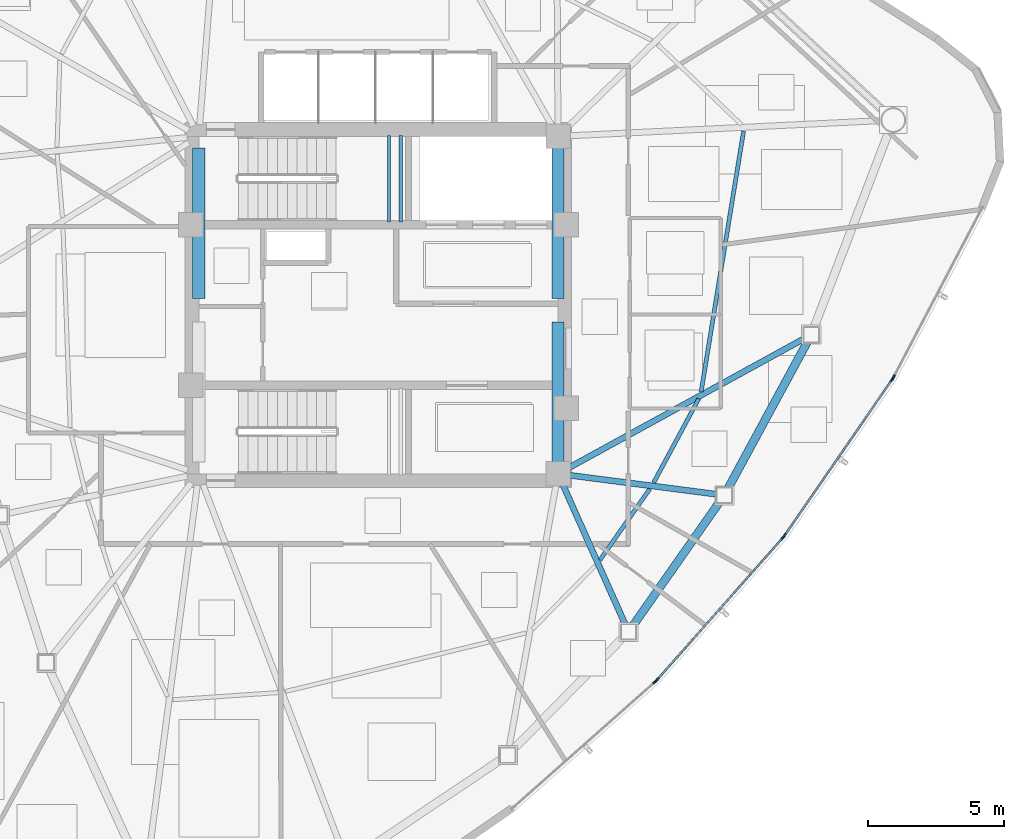
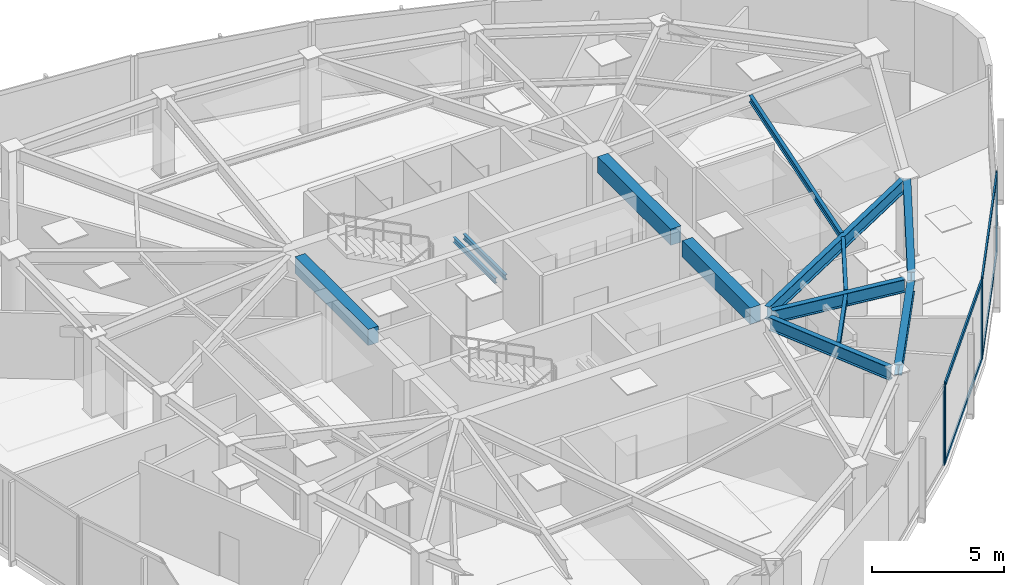
# One storey, part 5 of 15: 13 beams, 10 members, 4 elements without a shape of their own.
"""IFC4 building model written with IfcOpenShell, lengths in metres."""

from ifc_helpers import new_model, si_unit, direction, frame, origin, origin_2d, place, context, subcontext, project, spatial, rectangle, hollow_rectangle, i_section, extrude, source, transform, mapped, material, layer, layer_set, material_profile, profile_set, type_object, type_shapes, element, aggregate, save


model = new_model("IFC4")

# Units and contexts
model_context = context("Model", 3, precision=1e-05, world=origin(), true_north=direction((0.0, 1.0)))
body_context = subcontext(model_context, "Body", "Model", "MODEL_VIEW")
ifc_project = project(units=[si_unit("LENGTHUNIT", "METRE"), si_unit("AREAUNIT", "SQUARE_METRE"), si_unit("VOLUMEUNIT", "CUBIC_METRE"), si_unit("PLANEANGLEUNIT", "RADIAN"), si_unit("MASSUNIT", "GRAM", prefix="KILO")], contexts=[model_context])

# Site, building, storey
site_placement = place(None, origin())
site = spatial("IfcSite", under=ifc_project, at=site_placement, CompositionType="ELEMENT")
building_placement = place(site_placement, origin())
building = spatial("IfcBuilding", under=site, at=building_placement, Name="Tavelor Broadcast Tower", CompositionType="ELEMENT")
storey_placement = place(building_placement, frame((0.0, 0.0, 230.050048828125)))
storey = spatial("IfcBuildingStorey", under=building, at=storey_placement, Name="L54", CompositionType="ELEMENT", Elevation=230.050048828125)

# Beams
ifc_material_1 = material(Name="Concrete C40/50", Category="concrete")
ifc_material_profile_1 = material_profile(ifc_material_1, rectangle(XDim=0.449951171875, YDim=0.75, at=origin_2d()), Name="RC 450x750")
ifc_profile_set_1 = profile_set([ifc_material_profile_1], Name="Concrete C40/50")
beam_type_1 = type_object("IfcBeamType", Name="Basement Core Trim Beam 450x750", PredefinedType="BEAM", material=ifc_profile_set_1)
for number, where, z_axis, x_axis, name in (
    (1, (43.39990234375, 45.23193359375, 3.27490234375), (0.0, 1.0, 0.0), (-1.0, 0.0, 0.0), "L54 Core West-N Tie Girder"),
    (2, (56.60009765625, 45.23193359375, 3.27490234375), (0.0, 1.0, 0.0), (-1.0, 0.0, 0.0), "L54 Core East-N Tie Girder"),
):
    element("IfcBeam", number, at=place(storey_placement, frame(where, z_axis=z_axis, x_axis=x_axis)), inside=storey, type_object=beam_type_1, Name=name, PredefinedType="BEAM", context=body_context, shape_type="SweptSolid", body=[
        extrude(rectangle(XDim=0.449951171875, YDim=0.75, at=origin_2d()), origin(), (0.0, 0.0, 1.0), 5.5361328125),
    ])
beam_1_placement = place(storey_placement, frame((56.60009765625, 39.23193359375, 3.27490234375), z_axis=(0.0, 1.0, 0.0), x_axis=(-1.0, 0.0, 0.0)))
element("IfcBeam", 3, at=beam_1_placement, inside=storey, type_object=beam_type_1, Name="L54 Core East-S Tie Girder", PredefinedType="BEAM", context=body_context, shape_type="SweptSolid", body=[
    extrude(rectangle(XDim=0.449951171875, YDim=0.75, at=origin_2d()), origin(), (0.0, 0.0, 1.0), 5.135986328125),
])
ifc_material_2 = material(Name="Steel S355", Category="steel")
ifc_material_profile_2 = material_profile(ifc_material_2, i_section(OverallWidth=0.14990234375, OverallDepth=0.300048828125, WebThickness=0.007080078125, FlangeThickness=0.0107421875, at=origin_2d()), Name="IPE 300")
ifc_profile_set_2 = profile_set([ifc_material_profile_2], Name="Steel S355")
beam_type_2 = type_object("IfcBeamType", Name="Composite Floor Joist T5 IPE 300", PredefinedType="JOIST", material=ifc_profile_set_2)
beam_2_placement = place(storey_placement, frame((58.1435546875, 35.632568359375, 3.5), z_axis=(0.573982104788, 0.81886784244, 0.0), x_axis=(-0.81886784244, 0.573982104788, 0.0)))
element("IfcBeam", 4, at=beam_2_placement, inside=storey, type_object=beam_type_2, Name="L54 Secondary Composite Floor Joist 10", PredefinedType="JOIST", context=body_context, shape_type="SweptSolid", body=[
    extrude(i_section(OverallWidth=0.14990234375, OverallDepth=0.300048828125, WebThickness=0.007080078125, FlangeThickness=0.0107421875, at=origin_2d()), origin(), (0.0, 0.0, 1.0), 3.183349609375),
])
beam_3_placement = place(storey_placement, frame((60.11669921875, 38.476318359375, 3.5), z_axis=(0.473687126384, 0.880693196464, 0.0), x_axis=(-0.880693196464, 0.473687126384, 0.0)))
element("IfcBeam", 5, at=beam_3_placement, inside=storey, type_object=beam_type_2, Name="L54 Secondary Composite Floor Joist 11", PredefinedType="JOIST", context=body_context, shape_type="SweptSolid", body=[
    extrude(i_section(OverallWidth=0.14990234375, OverallDepth=0.300048828125, WebThickness=0.007080078125, FlangeThickness=0.0107421875, at=origin_2d()), origin(), (0.0, 0.0, 1.0), 3.492919921875),
])
beam_4_placement = place(storey_placement, frame((61.859619140625, 41.812744140625, 3.5), z_axis=(0.160809479217, 0.986985466658, 0.0), x_axis=(-0.986985466658, 0.160809479217, 0.0)))
element("IfcBeam", 6, at=beam_4_placement, inside=storey, type_object=beam_type_2, Name="L54 Secondary Composite Floor Joist 12", PredefinedType="JOIST", context=body_context, shape_type="SweptSolid", body=[
    extrude(i_section(OverallWidth=0.14990234375, OverallDepth=0.300048828125, WebThickness=0.007080078125, FlangeThickness=0.0107421875, at=origin_2d()), origin(), (0.0, 0.0, 1.0), 9.708984375),
])
ifc_material_profile_3 = material_profile(ifc_material_2, i_section(OverallWidth=0.300048828125, OverallDepth=0.489990234375, WebThickness=0.011962890625, FlangeThickness=0.02294921875, at=origin_2d()), Name="HEA 500")
ifc_profile_set_3 = profile_set([ifc_material_profile_3], Name="Steel S355")
beam_type_3 = type_object("IfcBeamType", Name="Perimeter Spandrel Beam T5 HEA 500", PredefinedType="SPANDREL", material=ifc_profile_set_3)
beam_5_placement = place(storey_placement, frame((59.357666015625, 33.222900390625, 3.405029296875), z_axis=(0.573798498873, 0.818996509572, 0.0), x_axis=(-0.818996509572, 0.573798498873, 0.0)))
element("IfcBeam", 7, at=beam_5_placement, inside=storey, type_object=beam_type_3, Name="L54 Framed-Tube Ring Spandrel 10", PredefinedType="SPANDREL", context=body_context, shape_type="SweptSolid", body=[
    extrude(i_section(OverallWidth=0.300048828125, OverallDepth=0.489990234375, WebThickness=0.011962890625, FlangeThickness=0.02294921875, at=origin_2d()), origin(), (0.0, 0.0, 1.0), 5.555908203125),
])
beam_6_placement = place(storey_placement, frame((62.84814453125, 38.26220703125, 3.405029296875), z_axis=(0.476295969148, 0.879285021921, 0.0), x_axis=(-0.879285021921, 0.476295969148, 0.0)))
element("IfcBeam", 8, at=beam_6_placement, inside=storey, type_object=beam_type_3, Name="L54 Framed-Tube Ring Spandrel 11", PredefinedType="SPANDREL", context=body_context, shape_type="SweptSolid", body=[
    extrude(i_section(OverallWidth=0.300048828125, OverallDepth=0.489990234375, WebThickness=0.011962890625, FlangeThickness=0.02294921875, at=origin_2d()), origin(), (0.0, 0.0, 1.0), 6.134521484375),
])
ifc_material_profile_4 = material_profile(ifc_material_2, i_section(OverallWidth=0.219970703125, OverallDepth=0.60009765625, WebThickness=0.011962890625, FlangeThickness=0.01904296875, at=origin_2d()), Name="IPE 600")
ifc_profile_set_4 = profile_set([ifc_material_profile_4], Name="Steel S355")
beam_type_4 = type_object("IfcBeamType", Name="Radial Floor Girder T5 IPE 600", PredefinedType="BEAM", material=ifc_profile_set_4)
beam_7_placement = place(storey_placement, frame((56.77587890625, 38.405517578125, 3.349853515625), z_axis=(0.407317885502, -0.913286450217, 0.0), x_axis=(0.913286450217, 0.407317885502, 0.0)))
element("IfcBeam", 9, at=beam_7_placement, inside=storey, type_object=beam_type_4, Name="L54 Radial Primary Floor Girder 10", PredefinedType="BEAM", context=body_context, shape_type="SweptSolid", body=[
    extrude(i_section(OverallWidth=0.219970703125, OverallDepth=0.60009765625, WebThickness=0.011962890625, FlangeThickness=0.01904296875, at=origin_2d()), origin(), (0.0, 0.0, 1.0), 5.64501953125),
])
beam_8_placement = place(storey_placement, frame((57.0283203125, 38.74462890625, 3.349853515625), z_axis=(0.991728752797, -0.12835139608, 0.0), x_axis=(0.12835139608, 0.991728752797, 0.0)))
element("IfcBeam", 10, at=beam_8_placement, inside=storey, type_object=beam_type_4, Name="L54 Radial Primary Floor Girder 11", PredefinedType="BEAM", context=body_context, shape_type="SweptSolid", body=[
    extrude(i_section(OverallWidth=0.219970703125, OverallDepth=0.60009765625, WebThickness=0.011962890625, FlangeThickness=0.01904296875, at=origin_2d()), origin(), (0.0, 0.0, 1.0), 5.44189453125),
])
beam_9_placement = place(storey_placement, frame((56.978759765625, 39.0078125, 3.349853515625), z_axis=(0.876594261461, 0.481230195201, 0.0), x_axis=(-0.481230195201, 0.876594261461, 0.0)))
element("IfcBeam", 11, at=beam_9_placement, inside=storey, type_object=beam_type_4, Name="L54 Radial Primary Floor Girder 12", PredefinedType="BEAM", context=body_context, shape_type="SweptSolid", body=[
    extrude(i_section(OverallWidth=0.219970703125, OverallDepth=0.60009765625, WebThickness=0.011962890625, FlangeThickness=0.01904296875, at=origin_2d()), origin(), (0.0, 0.0, 1.0), 9.8974609375),
])
ifc_material_profile_5 = material_profile(ifc_material_2, i_section(OverallWidth=0.1201171875, OverallDepth=0.239990234375, WebThickness=0.006103515625, FlangeThickness=0.009765625, at=origin_2d()), Name="IPE 240")
ifc_profile_set_5 = profile_set([ifc_material_profile_5], Name="Steel S355")
beam_type_5 = type_object("IfcBeamType", Name="Stairwell Landing Support Trimmer Beam IPE240", PredefinedType="BEAM", material=ifc_profile_set_5)
for number, where, z_axis, x_axis, name in (
    (12, (50.385009765625, 48.06005859375, 1.659912109375), (0.0, 1.0, 0.0), (-1.0, 0.0, 0.0), "L54 Stair Landing Support Beam 149"),
    (13, (50.824951171875, 48.06005859375, 1.659912109375), (0.0, 1.0, 0.0), (-1.0, 0.0, 0.0), "L54 Stair Landing Support Beam 150"),
):
    element("IfcBeam", number, at=place(storey_placement, frame(where, z_axis=z_axis, x_axis=x_axis)), inside=storey, type_object=beam_type_5, Name=name, PredefinedType="BEAM", context=body_context, shape_type="SweptSolid", body=[
        extrude(i_section(OverallWidth=0.1201171875, OverallDepth=0.239990234375, WebThickness=0.006103515625, FlangeThickness=0.009765625, at=origin_2d()), origin(), (0.0, 0.0, 1.0), 3.179931640625),
    ])

# Curtain wall, member
ifc_material_3 = material(Name="Architectural Anodized Aluminium", Category="aluminium")
ifc_layer = layer(ifc_material_3, 0.199951171875)
ifc_layer_set = layer_set([ifc_layer], Name="Architectural Anodized Aluminium")
curtain_wall_type = type_object("IfcCurtainWallType", Name="Tower High-Zone Triple-Glazed Curtain Wall CW04", PredefinedType="NOTDEFINED", material=ifc_layer_set)
curtain_wall_1_placement = place(storey_placement, origin())
curtain_wall_1 = element("IfcCurtainWall", 14, at=curtain_wall_1_placement, inside=storey, type_object=curtain_wall_type, Name="L54 Curtain Wall CW04 Run 581", PredefinedType="NOTDEFINED")
ifc_material_profile_6 = material_profile(ifc_material_3, hollow_rectangle(XDim=0.070068359375, YDim=0.199951171875, WallThickness=0.02197265625, at=origin_2d()), Name="RHS 70x200x22")
ifc_profile_set_6 = profile_set([ifc_material_profile_6], Name="Architectural Anodized Aluminium")
member_type_1 = type_object("IfcMemberType", Name="CW04 Extruded Aluminium Mullion 70x200", PredefinedType="MULLION", material=ifc_profile_set_6)
shared_shape_1 = source(origin(), body_context, "Body", "SweptSolid", [
    extrude(hollow_rectangle(XDim=0.070068359375, YDim=0.199951171875, WallThickness=0.02197265625, at=origin_2d()), origin(), (0.0, 0.0, 1.0), 3.64990234375),
])
type_shapes(member_type_1, [shared_shape_1])
member_1_placement = place(storey_placement, frame((60.17041015625, 31.1591796875, 0.0), z_axis=(0.0, 0.0, 1.0), x_axis=(-0.662944889722, 0.748668199667, 0.0)))
member_1 = element("IfcMember", 15, at=member_1_placement, type_object=member_type_1, Name="CW04 mullion 2", PredefinedType="MULLION", context=body_context, shape_type="MappedRepresentation", body=[
    mapped(shared_shape_1, transform((0.0, 0.0, 0.0), scale=1.0)),
])
aggregate(curtain_wall_1, [member_1])

# Curtain wall, members
curtain_wall_2_placement = place(storey_placement, origin())
curtain_wall_2 = element("IfcCurtainWall", 16, at=curtain_wall_2_placement, inside=storey, type_object=curtain_wall_type, Name="L54 Curtain Wall CW04 Run 582", PredefinedType="NOTDEFINED")
member_2_placement = place(storey_placement, frame((60.240966796875, 31.229736328125, 0.0), z_axis=(0.0, 0.0, 1.0), x_axis=(-0.748666959346, 0.662946290421, 0.0)))
member_2 = element("IfcMember", 17, at=member_2_placement, type_object=member_type_1, Name="CW04 mullion 1", PredefinedType="MULLION", context=body_context, shape_type="MappedRepresentation", body=[
    mapped(shared_shape_1, transform((0.0, 0.0, 0.0), scale=1.0)),
])
member_3_placement = place(storey_placement, frame((64.8603515625, 36.4462890625, 0.0), z_axis=(0.0, 0.0, 1.0), x_axis=(-0.748666959346, 0.662946290421, 0.0)))
member_3 = element("IfcMember", 18, at=member_3_placement, type_object=member_type_1, Name="CW04 mullion 2", PredefinedType="MULLION", context=body_context, shape_type="MappedRepresentation", body=[
    mapped(shared_shape_1, transform((0.0, 0.0, 0.0), scale=1.0)),
])

curtain_wall_3_placement = place(storey_placement, origin())
curtain_wall_3 = element("IfcCurtainWall", 19, at=curtain_wall_3_placement, inside=storey, type_object=curtain_wall_type, Name="L54 Curtain Wall CW04 Run 583", PredefinedType="NOTDEFINED")
member_4_placement = place(storey_placement, frame((64.921875, 36.52490234375, 0.0), z_axis=(0.0, 0.0, 1.0), x_axis=(-0.82339547592, 0.56746796406, 0.0)))
member_4 = element("IfcMember", 20, at=member_4_placement, type_object=member_type_1, Name="CW04 mullion 1", PredefinedType="MULLION", context=body_context, shape_type="MappedRepresentation", body=[
    mapped(shared_shape_1, transform((0.0, 0.0, 0.0), scale=1.0)),
])
member_5_placement = place(storey_placement, frame((68.8759765625, 42.262451171875, 0.0), z_axis=(0.0, 0.0, 1.0), x_axis=(-0.82339547592, 0.56746796406, 0.0)))
member_5 = element("IfcMember", 21, at=member_5_placement, type_object=member_type_1, Name="CW04 mullion 2", PredefinedType="MULLION", context=body_context, shape_type="MappedRepresentation", body=[
    mapped(shared_shape_1, transform((0.0, 0.0, 0.0), scale=1.0)),
])

# Curtain wall, member
curtain_wall_4_placement = place(storey_placement, origin())
curtain_wall_4 = element("IfcCurtainWall", 22, at=curtain_wall_4_placement, inside=storey, type_object=curtain_wall_type, Name="L54 Curtain Wall CW04 Run 584", PredefinedType="NOTDEFINED")
member_6_placement = place(storey_placement, frame((68.927490234375, 42.347900390625, 0.0), z_axis=(0.0, 0.0, 1.0), x_axis=(-0.886015431891, 0.463655749938, 0.0)))
member_6 = element("IfcMember", 23, at=member_6_placement, type_object=member_type_1, Name="CW04 mullion 1", PredefinedType="MULLION", context=body_context, shape_type="MappedRepresentation", body=[
    mapped(shared_shape_1, transform((0.0, 0.0, 0.0), scale=1.0)),
])
aggregate(curtain_wall_4, [member_6])

# Member
ifc_material_profile_7 = material_profile(ifc_material_3, hollow_rectangle(XDim=0.070068359375, YDim=0.199951171875, WallThickness=0.02197265625, at=origin_2d()), Name="RHS 70x200x22")
ifc_profile_set_7 = profile_set([ifc_material_profile_7], Name="Architectural Anodized Aluminium")
member_type_2 = type_object("IfcMemberType", Name="CW04 Extruded Aluminium Transom 70x200", PredefinedType="USERDEFINED", material=ifc_profile_set_7)
shared_shape_2 = source(origin(), body_context, "Body", "SweptSolid", [
    extrude(hollow_rectangle(XDim=0.070068359375, YDim=0.199951171875, WallThickness=0.02197265625, at=origin_2d()), origin(), (0.0, 0.0, 1.0), 6.89794921875),
])
type_shapes(member_type_2, [shared_shape_2])
member_7_placement = place(storey_placement, frame((60.26416015625, 31.255859375, 0.034912109375), z_axis=(0.662945705732, 0.748667477089, 0.0), x_axis=(-0.748667477089, 0.662945705732, 0.0)))
member_7 = element("IfcMember", 24, at=member_7_placement, type_object=member_type_2, Name="CW04 transom 1.1", ObjectType="TRANSOM", PredefinedType="USERDEFINED", context=body_context, shape_type="MappedRepresentation", body=[
    mapped(shared_shape_2, transform((0.0, 0.0, 0.0), scale=1.0)),
])

member_8_placement = place(storey_placement, frame((60.26416015625, 31.255859375, 3.614990234375), z_axis=(0.662945705732, 0.748667477089, 0.0), x_axis=(-0.748667477089, 0.662945705732, 0.0)))
member_8 = element("IfcMember", 25, at=member_8_placement, type_object=member_type_2, Name="CW04 transom 1.2", ObjectType="TRANSOM", PredefinedType="USERDEFINED", context=body_context, shape_type="MappedRepresentation", body=[
    mapped(shared_shape_2, transform((0.0, 0.0, 0.0), scale=1.0)),
])

aggregate(curtain_wall_2, [member_2, member_3, member_7, member_8])

member_9_placement = place(storey_placement, frame((64.941650390625, 36.553955078125, 0.034912109375), z_axis=(0.567465776867, 0.823396983286, 0.0), x_axis=(-0.823396983286, 0.567465776867, 0.0)))
member_9 = element("IfcMember", 26, at=member_9_placement, type_object=member_type_2, Name="CW04 transom 1.1", ObjectType="TRANSOM", PredefinedType="USERDEFINED", context=body_context, shape_type="MappedRepresentation", body=[
    mapped(shared_shape_2, transform((0.0, 0.0, 0.0), scale=1.0)),
])

member_10_placement = place(storey_placement, frame((64.941650390625, 36.553955078125, 3.614990234375), z_axis=(0.567465776867, 0.823396983286, 0.0), x_axis=(-0.823396983286, 0.567465776867, 0.0)))
member_10 = element("IfcMember", 27, at=member_10_placement, type_object=member_type_2, Name="CW04 transom 1.2", ObjectType="TRANSOM", PredefinedType="USERDEFINED", context=body_context, shape_type="MappedRepresentation", body=[
    mapped(shared_shape_2, transform((0.0, 0.0, 0.0), scale=1.0)),
])

aggregate(curtain_wall_3, [member_4, member_5, member_9, member_10])

save(model, "model.ifc")
